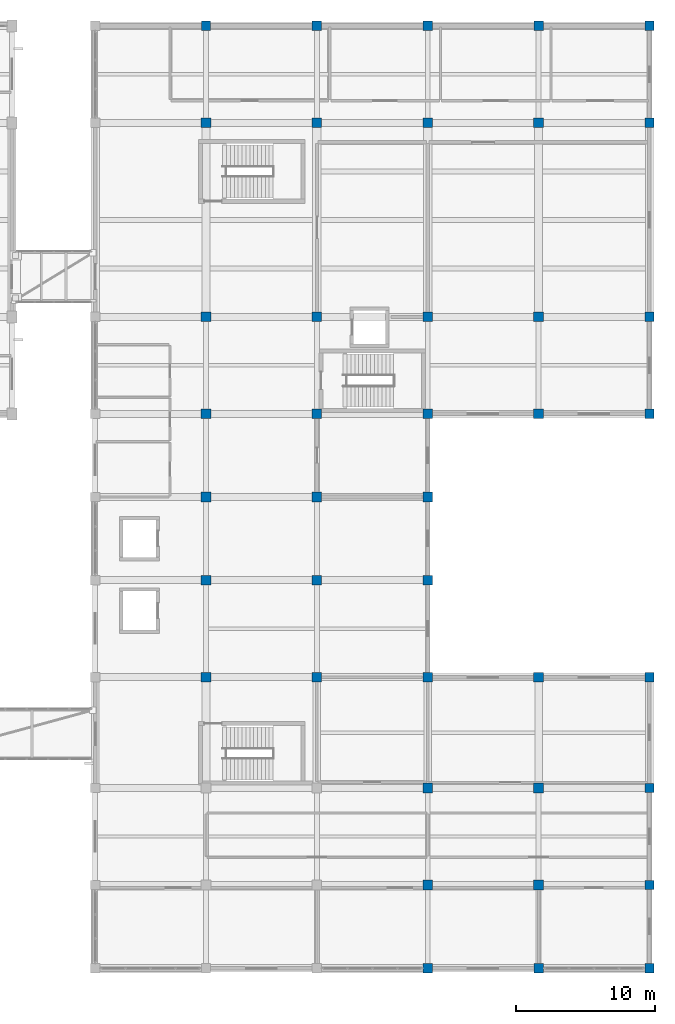
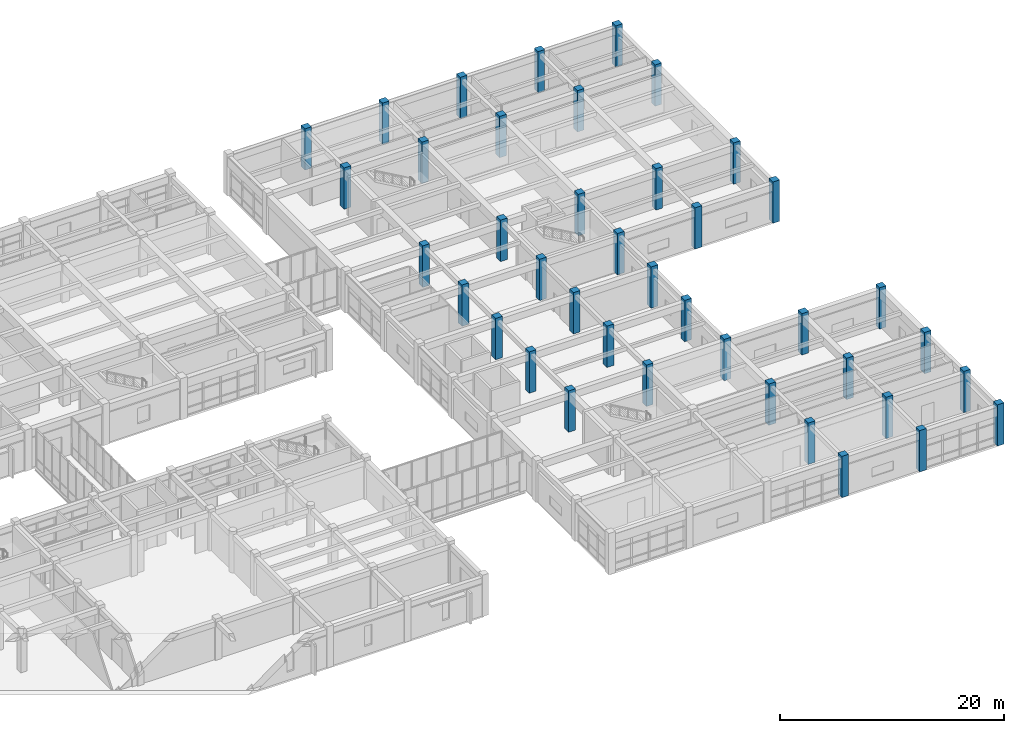
# One storey, part 2 of 72: 40 columns.
"""IFC4 building model written with IfcOpenShell, lengths in metres."""

from ifc_helpers import new_model, si_unit, direction, frame, origin, origin_2d, place, context, subcontext, project, spatial, rectangle, extrude, material, material_profile, profile_set, type_object, element, save


model = new_model("IFC4")

# Units and contexts
model_context = context("Model", 3, precision=1e-05, world=origin(), true_north=direction((0.0, 1.0)))
body_context = subcontext(model_context, "Body", "Model", "MODEL_VIEW")
ifc_project = project(units=[si_unit("LENGTHUNIT", "METRE"), si_unit("AREAUNIT", "SQUARE_METRE"), si_unit("VOLUMEUNIT", "CUBIC_METRE"), si_unit("PLANEANGLEUNIT", "RADIAN"), si_unit("MASSUNIT", "GRAM", prefix="KILO")], contexts=[model_context])

# Site, building, storey
site_placement = place(None, origin())
site = spatial("IfcSite", under=ifc_project, at=site_placement, CompositionType="ELEMENT")
building_placement = place(site_placement, origin())
building = spatial("IfcBuilding", under=site, at=building_placement, Name="Naurynzar Civic Courthouse", CompositionType="ELEMENT")
storey_placement = place(building_placement, frame((0.0, 0.0, 9.89990234375)))
storey = spatial("IfcBuildingStorey", under=building, at=storey_placement, Name="L03", CompositionType="ELEMENT", Elevation=9.89990234375)

# Columns
ifc_material_1 = material(Name="Concrete C40/50", Category="concrete")
ifc_material_profile_1 = material_profile(ifc_material_1, rectangle(XDim=0.675048828125, YDim=0.675048828125, at=origin_2d()), Name="RC 675x675")
ifc_profile_set_1 = profile_set([ifc_material_profile_1], Name="Concrete C40/50")
column_type_1 = type_object("IfcColumnType", Name="COL-RC-675x675", PredefinedType="COLUMN", material=ifc_profile_set_1)
for number, where, z_axis, x_axis, name in (
    (1, (138.0, 72.0, 0.0), (0.0, 0.0, 1.0), (1.0, 0.0, 0.0), "V5 column (138.0,72.0) L03"),
    (2, (146.0, 72.0, 0.0), (0.0, 0.0, 1.0), (1.0, 0.0, 0.0), "V5 column (146.0,72.0) L03"),
    (3, (154.0, 4.0, 0.0), (0.0, 0.0, 1.0), (1.0, 0.0, 0.0), "V5 column (154.0,4.0) L03"),
    (4, (154.0, 72.0, 0.0), (0.0, 0.0, 1.0), (1.0, 0.0, 0.0), "V5 column (154.0,72.0) L03"),
    (5, (162.0, 4.0, 0.0), (0.0, 0.0, 1.0), (1.0, 0.0, 0.0), "V5 column (162.0,4.0) L03"),
    (6, (162.0, 72.0, 0.0), (0.0, 0.0, 1.0), (1.0, 0.0, 0.0), "V5 column (162.0,72.0) L03"),
    (7, (170.0, 4.0, 0.0), (0.0, 0.0, 1.0), (1.0, 0.0, 0.0), "V5 column (170.0,4.0) L03"),
    (8, (170.0, 10.0, 0.0), (0.0, 0.0, 1.0), (1.0, 0.0, 0.0), "V5 column (170.0,10.0) L03"),
    (9, (170.0, 17.0, 0.0), (0.0, 0.0, 1.0), (1.0, 0.0, 0.0), "V5 column (170.0,17.0) L03"),
    (10, (170.0, 25.0, 0.0), (0.0, 0.0, 1.0), (1.0, 0.0, 0.0), "V5 column (170.0,25.0) L03"),
    (11, (170.0, 44.0, 0.0), (0.0, 0.0, 1.0), (1.0, 0.0, 0.0), "V5 column (170.0,44.0) L03"),
    (12, (170.0, 51.0, 0.0), (0.0, 0.0, 1.0), (1.0, 0.0, 0.0), "V5 column (170.0,51.0) L03"),
    (13, (170.0, 65.0, 0.0), (0.0, 0.0, 1.0), (1.0, 0.0, 0.0), "V5 column (170.0,65.0) L03"),
    (14, (170.0, 72.0, 0.0), (0.0, 0.0, 1.0), (1.0, 0.0, 0.0), "V5 column (170.0,72.0) L03"),
):
    element("IfcColumn", number, at=place(storey_placement, frame(where, z_axis=z_axis, x_axis=x_axis)), inside=storey, type_object=column_type_1, Name=name, PredefinedType="COLUMN", context=body_context, shape_type="SweptSolid", body=[
        extrude(rectangle(XDim=0.675048828125, YDim=0.675048828125, at=origin_2d()), origin(), (0.0, 0.0, 1.0), 4.5),
    ])
ifc_material_2 = material(Name="Concrete C40/50", Category="concrete")
ifc_material_profile_2 = material_profile(ifc_material_2, rectangle(XDim=0.699951171875, YDim=0.699951171875, at=origin_2d()), Name="RC 700x700")
ifc_profile_set_2 = profile_set([ifc_material_profile_2], Name="Concrete C40/50")
column_type_2 = type_object("IfcColumnType", Name="COL-RC-700", PredefinedType="COLUMN", material=ifc_profile_set_2)
for number, where, z_axis, x_axis, name in (
    (15, (138.0, 25.0, 0.0), (0.0, 0.0, 1.0), (1.0, 0.0, 0.0), "V5 column (138.0,25.0) L03"),
    (16, (138.0, 32.0, 0.0), (0.0, 0.0, 1.0), (1.0, 0.0, 0.0), "V5 column (138.0,32.0) L03"),
    (17, (138.0, 38.0, 0.0), (0.0, 0.0, 1.0), (1.0, 0.0, 0.0), "V5 column (138.0,38.0) L03"),
    (18, (138.0, 44.0, 0.0), (0.0, 0.0, 1.0), (1.0, 0.0, 0.0), "V5 column (138.0,44.0) L03"),
    (19, (138.0, 51.0, 0.0), (0.0, 0.0, 1.0), (1.0, 0.0, 0.0), "V5 column (138.0,51.0) L03"),
    (20, (138.0, 65.0, 0.0), (0.0, 0.0, 1.0), (1.0, 0.0, 0.0), "V5 column (138.0,65.0) L03"),
    (21, (146.0, 25.0, 0.0), (0.0, 0.0, 1.0), (1.0, 0.0, 0.0), "V5 column (146.0,25.0) L03"),
    (22, (146.0, 32.0, 0.0), (0.0, 0.0, 1.0), (1.0, 0.0, 0.0), "V5 column (146.0,32.0) L03"),
    (23, (146.0, 38.0, 0.0), (0.0, 0.0, 1.0), (1.0, 0.0, 0.0), "V5 column (146.0,38.0) L03"),
    (24, (146.0, 44.0, 0.0), (0.0, 0.0, 1.0), (1.0, 0.0, 0.0), "V5 column (146.0,44.0) L03"),
    (25, (146.0, 51.0, 0.0), (0.0, 0.0, 1.0), (1.0, 0.0, 0.0), "V5 column (146.0,51.0) L03"),
    (26, (146.0, 65.0, 0.0), (0.0, 0.0, 1.0), (1.0, 0.0, 0.0), "V5 column (146.0,65.0) L03"),
    (27, (154.0, 10.0, 0.0), (0.0, 0.0, 1.0), (1.0, 0.0, 0.0), "V5 column (154.0,10.0) L03"),
    (28, (154.0, 17.0, 0.0), (0.0, 0.0, 1.0), (1.0, 0.0, 0.0), "V5 column (154.0,17.0) L03"),
    (29, (154.0, 25.0, 0.0), (0.0, 0.0, 1.0), (1.0, 0.0, 0.0), "V5 column (154.0,25.0) L03"),
    (30, (154.0, 32.0, 0.0), (0.0, 0.0, 1.0), (1.0, 0.0, 0.0), "V5 column (154.0,32.0) L03"),
    (31, (154.0, 38.0, 0.0), (0.0, 0.0, 1.0), (1.0, 0.0, 0.0), "V5 column (154.0,38.0) L03"),
    (32, (154.0, 44.0, 0.0), (0.0, 0.0, 1.0), (1.0, 0.0, 0.0), "V5 column (154.0,44.0) L03"),
    (33, (154.0, 51.0, 0.0), (0.0, 0.0, 1.0), (1.0, 0.0, 0.0), "V5 column (154.0,51.0) L03"),
    (34, (154.0, 65.0, 0.0), (0.0, 0.0, 1.0), (1.0, 0.0, 0.0), "V5 column (154.0,65.0) L03"),
    (35, (162.0, 10.0, 0.0), (0.0, 0.0, 1.0), (1.0, 0.0, 0.0), "V5 column (162.0,10.0) L03"),
    (36, (162.0, 17.0, 0.0), (0.0, 0.0, 1.0), (1.0, 0.0, 0.0), "V5 column (162.0,17.0) L03"),
    (37, (162.0, 25.0, 0.0), (0.0, 0.0, 1.0), (1.0, 0.0, 0.0), "V5 column (162.0,25.0) L03"),
    (38, (162.0, 44.0, 0.0), (0.0, 0.0, 1.0), (1.0, 0.0, 0.0), "V5 column (162.0,44.0) L03"),
    (39, (162.0, 51.0, 0.0), (0.0, 0.0, 1.0), (1.0, 0.0, 0.0), "V5 column (162.0,51.0) L03"),
    (40, (162.0, 65.0, 0.0), (0.0, 0.0, 1.0), (1.0, 0.0, 0.0), "V5 column (162.0,65.0) L03"),
):
    element("IfcColumn", number, at=place(storey_placement, frame(where, z_axis=z_axis, x_axis=x_axis)), inside=storey, type_object=column_type_2, Name=name, PredefinedType="COLUMN", context=body_context, shape_type="SweptSolid", body=[
        extrude(rectangle(XDim=0.699951171875, YDim=0.699951171875, at=origin_2d()), origin(), (0.0, 0.0, 1.0), 4.5),
    ])

save(model, "model.ifc")
